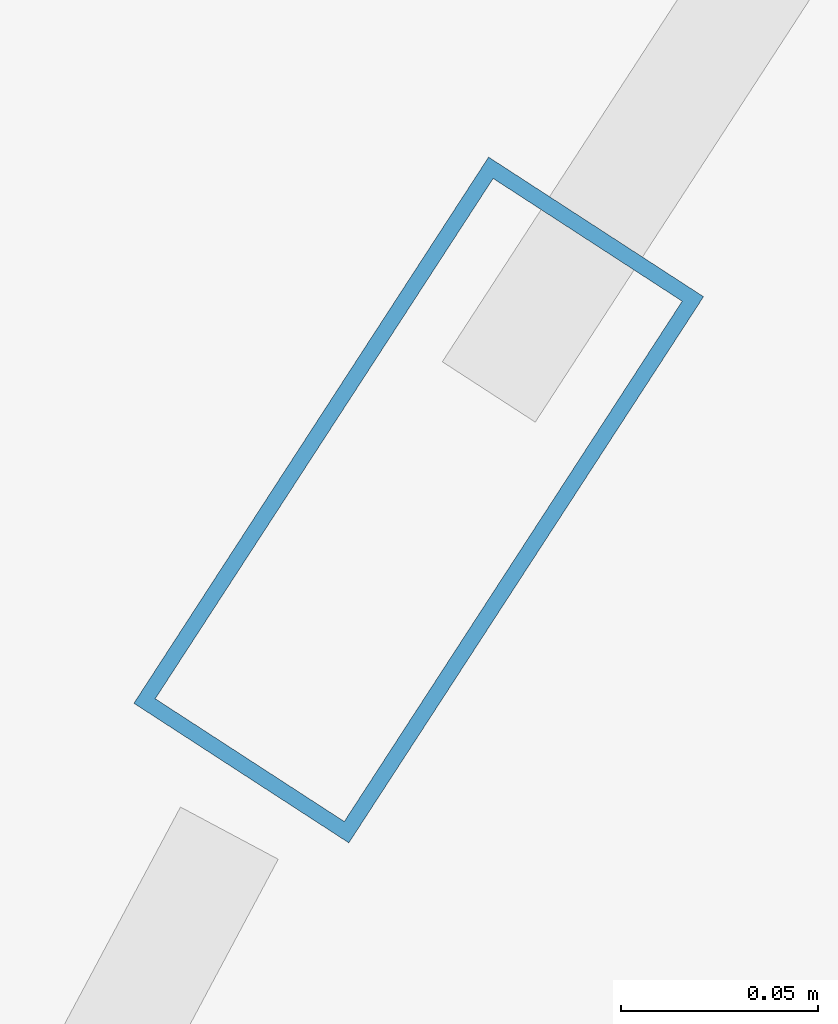
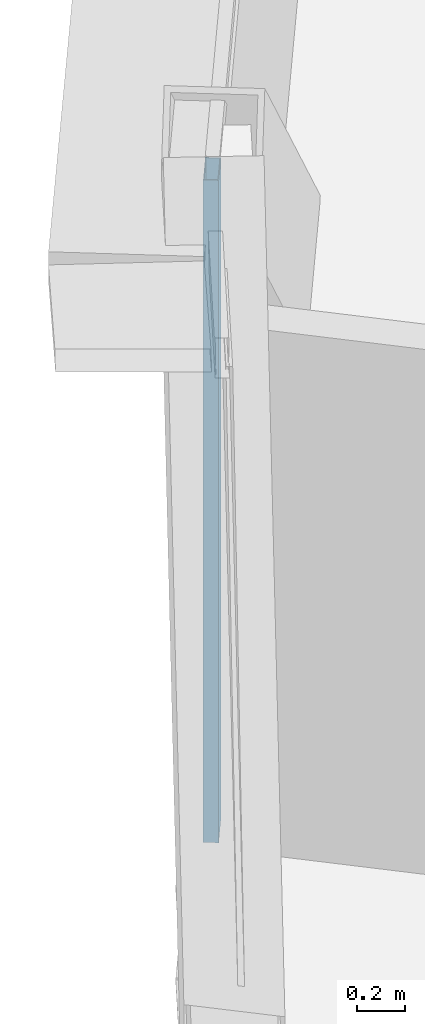
# One storey, part 15 of 38: 1 member, 1 element without a shape of its own.
"""IFC4 building model written with IfcOpenShell, lengths in metres."""

from ifc_helpers import new_model, si_unit, direction, frame, origin, origin_2d, place, context, subcontext, project, spatial, hollow_rectangle, extrude, source, transform, mapped, material, layer, layer_set, material_profile, profile_set, type_object, element, aggregate, save


model = new_model("IFC4")

# Units and contexts
model_context = context("Model", 3, precision=1e-05, world=origin(), true_north=direction((0.0, 1.0)))
body_context = subcontext(model_context, "Body", "Model", "MODEL_VIEW")
ifc_project = project(units=[si_unit("LENGTHUNIT", "METRE"), si_unit("AREAUNIT", "SQUARE_METRE"), si_unit("VOLUMEUNIT", "CUBIC_METRE"), si_unit("PLANEANGLEUNIT", "RADIAN"), si_unit("MASSUNIT", "GRAM", prefix="KILO"), si_unit("THERMODYNAMICTEMPERATUREUNIT", "KELVIN"), si_unit("POWERUNIT", "WATT")], contexts=[model_context])

# Site, building, storey
site_placement = place(None, origin())
site = spatial("IfcSite", under=ifc_project, at=site_placement, CompositionType="ELEMENT")
building_placement = place(site_placement, origin())
building = spatial("IfcBuilding", under=site, at=building_placement, Name="Yunzhuo Pagoda Commons", CompositionType="ELEMENT")
storey_placement = place(building_placement, frame((0.0, 0.0, 30.39990234375)))
storey = spatial("IfcBuildingStorey", under=building, at=storey_placement, Name="L07", CompositionType="ELEMENT", Elevation=30.39990234375)

# Curtain wall, member
ifc_material = material(Name="Anodized aluminium 6063-T6", Category="aluminium")
ifc_layer = layer(ifc_material, 0.1650390625)
ifc_layer_set = layer_set([ifc_layer], Name="Anodized aluminium 6063-T6")
curtain_wall_type = type_object("IfcCurtainWallType", Name="CW-LOW Low-Zone Ribbon Curtain Wall", PredefinedType="NOTDEFINED", material=ifc_layer_set)
curtain_wall_placement = place(storey_placement, origin())
curtain_wall = element("IfcCurtainWall", 1, at=curtain_wall_placement, inside=storey, type_object=curtain_wall_type, Name="L07 curtain wall CW-L07-F3B2", PredefinedType="NOTDEFINED")
ifc_material_profile = material_profile(ifc_material, hollow_rectangle(XDim=0.06494140625, YDim=0.1650390625, WallThickness=0.00390625, at=origin_2d()), Name="Anodized aluminium 6063-T6")
ifc_profile_set = profile_set([ifc_material_profile], Name="Anodized aluminium 6063-T6")
member_type = type_object("IfcMemberType", Name="CW-LOW-M Mullion RHS 165x65x4", PredefinedType="MULLION", material=ifc_profile_set)
shared_shape = source(origin(), body_context, "Body", "SweptSolid", [
    extrude(hollow_rectangle(XDim=0.06494140625, YDim=0.1650390625, WallThickness=0.00390625, at=origin_2d()), origin(), (0.0, 0.0, 1.0), 3.370361328125),
])
member_placement = place(storey_placement, frame((20.961181640625, 58.0888671875, 0.0), z_axis=(0.0, 0.0, 1.0), x_axis=(0.83865240069, -0.544667009114, 0.0)))
member = element("IfcMember", 2, at=member_placement, type_object=member_type, Name="CW mullion 2", PredefinedType="MULLION", context=body_context, shape_type="MappedRepresentation", body=[
    mapped(shared_shape, transform((0.0, 0.0, 0.0), scale=1.0)),
])
aggregate(curtain_wall, [member])

save(model, "model.ifc")
